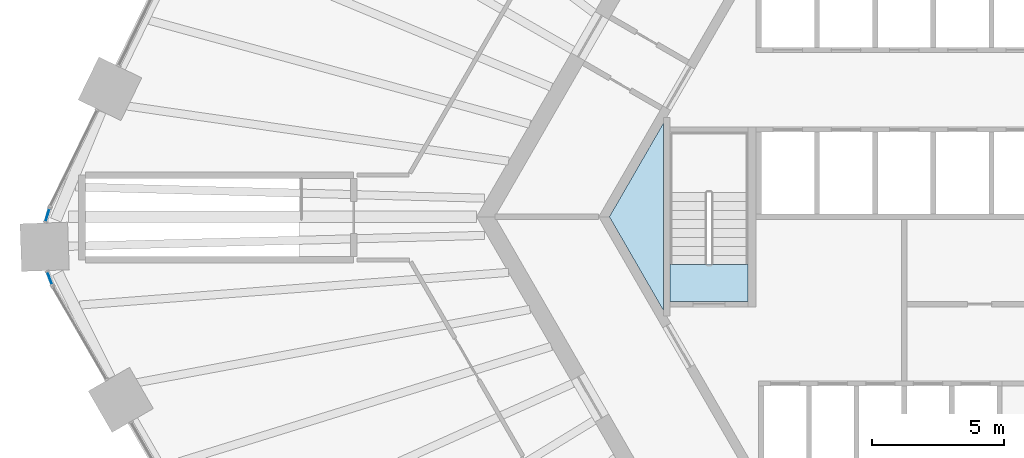
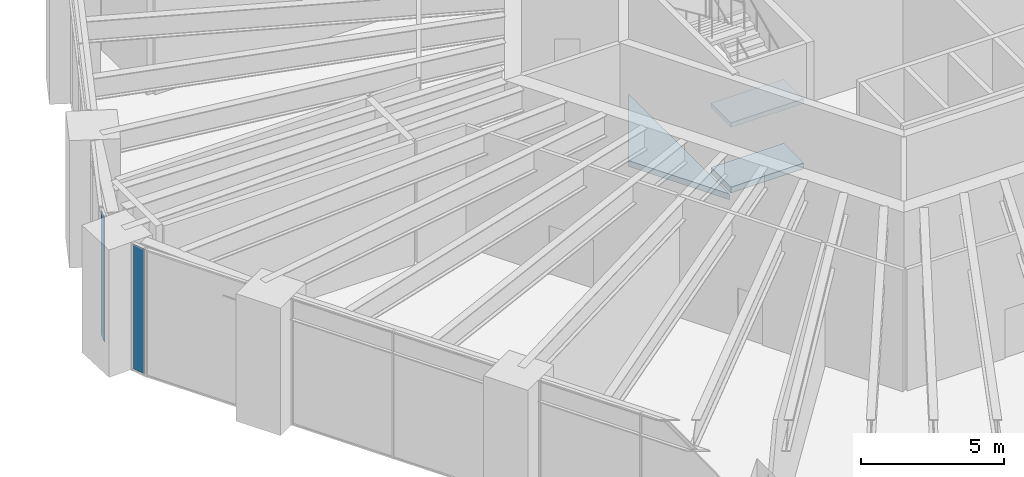
# One storey, part 14 of 25: 3 slabs, 2 plates, 3 elements without a shape of their own.
"""IFC4 building model written with IfcOpenShell, lengths in metres."""

from ifc_helpers import new_model, si_unit, direction, frame, origin, origin_2d, place, context, subcontext, project, spatial, polyline, rectangle, outline, extrude, material, layer, layer_set, type_object, element, aggregate, save


model = new_model("IFC4")

# Units and contexts
model_context = context("Model", 3, precision=1e-05, world=origin(), true_north=direction((0.0, 1.0)))
body_context = subcontext(model_context, "Body", "Model", "MODEL_VIEW")
ifc_project = project(units=[si_unit("LENGTHUNIT", "METRE"), si_unit("AREAUNIT", "SQUARE_METRE"), si_unit("VOLUMEUNIT", "CUBIC_METRE"), si_unit("PLANEANGLEUNIT", "RADIAN"), si_unit("MASSUNIT", "GRAM", prefix="KILO")], contexts=[model_context])

# Site, building, storey
site_placement = place(None, origin())
site = spatial("IfcSite", under=ifc_project, at=site_placement, CompositionType="ELEMENT")
building_placement = place(site_placement, origin())
building = spatial("IfcBuilding", under=site, at=building_placement, Name="Tarnside Tower", CompositionType="ELEMENT")
storey_placement = place(building_placement, frame((0.0, 0.0, 26.0)))
storey = spatial("IfcBuildingStorey", under=building, at=storey_placement, Name="L04", CompositionType="ELEMENT", Elevation=26.0)

# Slabs
ifc_material_1 = material(Name="Concrete C40/50", Category="concrete")
ifc_layer_1 = layer(ifc_material_1, 0.25)
ifc_layer_set_1 = layer_set([ifc_layer_1], Name="Core slab C40/50")
slab_type_1 = type_object("IfcSlabType", Name="Core slab C40/50", PredefinedType="FLOOR", material=ifc_layer_set_1)
slab_1_placement = place(storey_placement, frame((0.0, 0.0, -0.25)))
element("IfcSlab", 1, at=slab_1_placement, inside=storey, type_object=slab_type_1, Name="L04 core floor slab 4", PredefinedType="FLOOR", context=body_context, shape_type="SweptSolid", body=[
    extrude(outline(polyline([(-11.142822265625, 0.0), (-9.10009765625, 3.538330078125), (-9.10009765625, -3.538330078125), (-11.142822265625, 0.0)])), origin(), (0.0, 0.0, 1.0), 0.25),
])
slab_2_placement = place(storey_placement, frame((0.0, 0.0, -0.25)))
element("IfcSlab", 2, at=slab_2_placement, inside=storey, type_object=slab_type_1, Name="L04 core floor slab 5", PredefinedType="FLOOR", context=body_context, shape_type="SweptSolid", body=[
    extrude(outline(polyline([(-8.85009765625, -1.800048828125), (-5.89990234375, -1.800048828125), (-5.89990234375, -3.199951171875), (-8.85009765625, -3.199951171875), (-8.85009765625, -1.800048828125)])), origin(), (0.0, 0.0, 1.0), 0.25),
])

# Curtain wall, plate
ifc_material_2 = material(Name="Retail shopfront glazing wall", Category="glass")
curtain_wall_type = type_object("IfcCurtainWallType", Name="Retail shopfront glazing wall", PredefinedType="NOTDEFINED", material=ifc_material_2)
curtain_wall_1_placement = place(storey_placement, origin())
curtain_wall_1 = element("IfcCurtainWall", 3, at=curtain_wall_1_placement, inside=storey, type_object=curtain_wall_type, Name="Retail shopfront glazing L04 06.1", PredefinedType="NOTDEFINED")
ifc_material_3 = material(Name="Low-iron safety glass", Category="glass")
ifc_layer_2 = layer(ifc_material_3, 0.028076171875)
ifc_layer_set_2 = layer_set([ifc_layer_2], Name="Retail shopfront glazing panel 28")
plate_type = type_object("IfcPlateType", Name="Retail shopfront glazing panel 28", PredefinedType="CURTAIN_PANEL", material=ifc_layer_set_2)
plate_1_placement = place(storey_placement, frame((-32.37890625, 0.062744140625, -0.18994140625), z_axis=(0.0, 0.0, 1.0), x_axis=(-0.286803231262, -0.957989512749, 0.0)))
plate_1 = element("IfcPlate", 4, at=plate_1_placement, type_object=plate_type, Name="CW2 panel 1.1", PredefinedType="CURTAIN_PANEL", context=body_context, shape_type="SweptSolid", body=[
    extrude(rectangle(XDim=0.48828125, YDim=0.028076171875, at=origin_2d()), origin(), (0.0, 0.0, 1.0), 5.330078125),
])
aggregate(curtain_wall_1, [plate_1])

curtain_wall_2_placement = place(storey_placement, origin())
curtain_wall_2 = element("IfcCurtainWall", 5, at=curtain_wall_2_placement, inside=storey, type_object=curtain_wall_type, Name="Retail shopfront glazing L04 07.0", PredefinedType="NOTDEFINED")
plate_2_placement = place(storey_placement, frame((-32.295654296875, -2.3212890625, -0.18994140625), z_axis=(0.0, 0.0, 1.0), x_axis=(0.352930563788, -0.935649516189, 0.0)))
plate_2 = element("IfcPlate", 6, at=plate_2_placement, type_object=plate_type, Name="CW2 panel 1.1", PredefinedType="CURTAIN_PANEL", context=body_context, shape_type="SweptSolid", body=[
    extrude(rectangle(XDim=0.48828125, YDim=0.028076171875, at=origin_2d()), origin(), (0.0, 0.0, 1.0), 5.330078125),
])
aggregate(curtain_wall_2, [plate_2])

# Stair, slab
stair_type = type_object("IfcStairType", Name="Exit stair 1400 clear", PredefinedType="HALF_TURN_STAIR", material=ifc_material_1)
stair_placement = place(storey_placement, origin())
stair = element("IfcStair", 7, at=stair_placement, inside=storey, type_object=stair_type, Name="L04 Exit stair 2", PredefinedType="HALF_TURN_STAIR")
ifc_layer_3 = layer(ifc_material_1, 0.199951171875)
ifc_layer_set_3 = layer_set([ifc_layer_3], Name="Stair landing 200 C40/50")
slab_type_2 = type_object("IfcSlabType", Name="Stair landing 200 C40/50", PredefinedType="LANDING", material=ifc_layer_set_3)
slab_3_placement = place(storey_placement, frame((0.0, 0.0, 2.550048828125)))
slab_3 = element("IfcSlab", 8, at=slab_3_placement, type_object=slab_type_2, Name="ST2 landing 2", PredefinedType="LANDING", context=body_context, shape_type="SweptSolid", body=[
    extrude(outline(polyline([(-5.89990234375, -3.199951171875), (-5.89990234375, -1.800048828125), (-8.85009765625, -1.800048828125), (-8.85009765625, -3.199951171875), (-5.89990234375, -3.199951171875)])), origin(), (0.0, 0.0, 1.0), 0.199951171875),
])
aggregate(stair, [slab_3])

save(model, "model.ifc")
